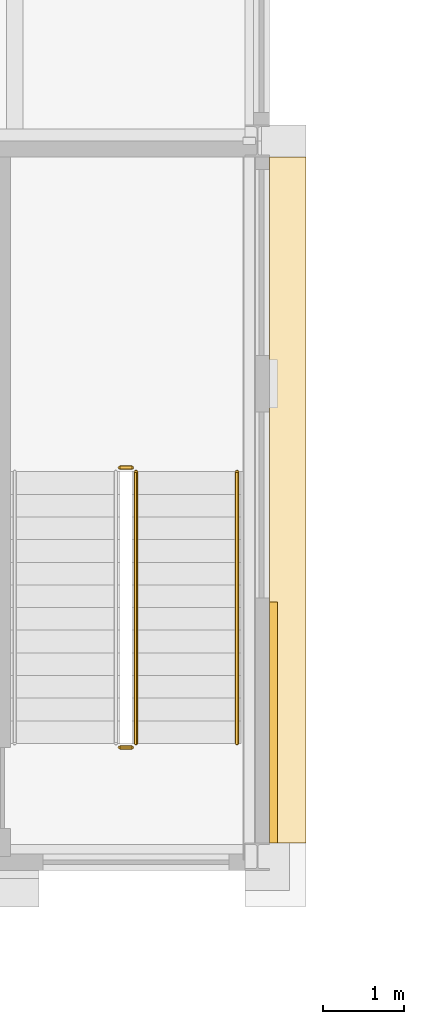
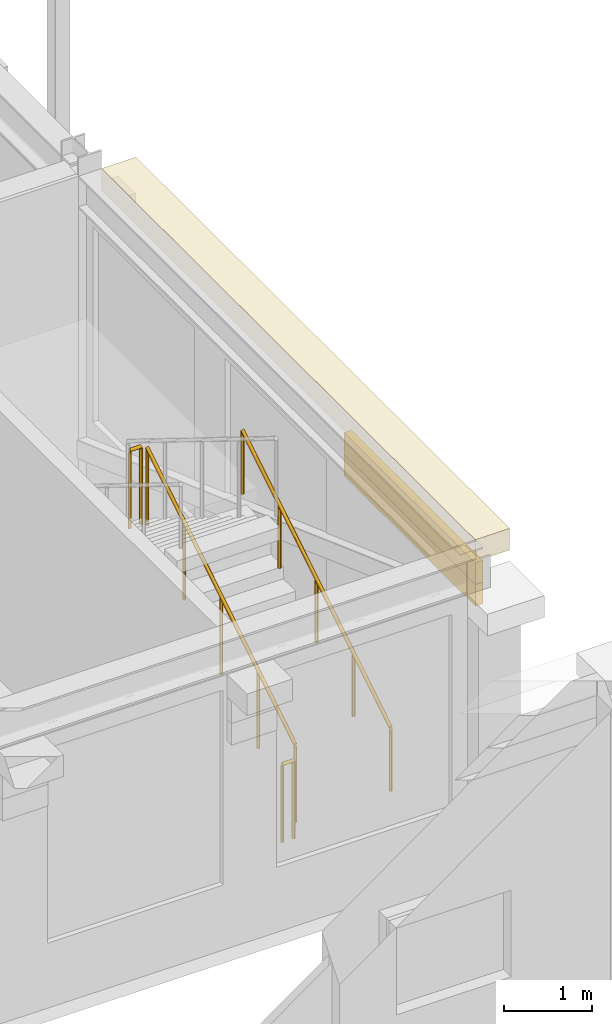
# One storey, part 137 of 153: 4 railings, 3 coverings.
"""IFC4 building model written with IfcOpenShell, lengths in metres."""

from ifc_helpers import new_model, si_unit, direction, frame, origin, origin_2d, place, context, subcontext, project, spatial, rectangle, circle, extrude, material, layer, layer_set, type_object, element, save


model = new_model("IFC4")

# Units and contexts
model_context = context("Model", 3, precision=1e-05, world=origin(), true_north=direction((0.0, 1.0)))
body_context = subcontext(model_context, "Body", "Model", "MODEL_VIEW")
ifc_project = project(units=[si_unit("LENGTHUNIT", "METRE"), si_unit("AREAUNIT", "SQUARE_METRE"), si_unit("VOLUMEUNIT", "CUBIC_METRE"), si_unit("PLANEANGLEUNIT", "RADIAN"), si_unit("MASSUNIT", "GRAM", prefix="KILO")], contexts=[model_context])

# Site, building, storey
site_placement = place(None, origin())
site = spatial("IfcSite", under=ifc_project, at=site_placement, CompositionType="ELEMENT")
building_placement = place(site_placement, origin())
building = spatial("IfcBuilding", under=site, at=building_placement, Name="Kallimachos Central Library", CompositionType="ELEMENT")
storey_placement = place(building_placement, frame((0.0, 0.0, 5.39990234375)))
storey = spatial("IfcBuildingStorey", under=building, at=storey_placement, Name="L01", CompositionType="ELEMENT", Elevation=5.39990234375)

# Coverings
ifc_material_1 = material(Name="Glazed ceramic frieze, green")
ifc_layer_1 = layer(ifc_material_1, 0.10009765625)
ifc_layer_set_1 = layer_set([ifc_layer_1], Name="Glazed ceramic frieze, green")
covering_type_1 = type_object("IfcCoveringType", Name="Glazed ceramic frieze, green", PredefinedType="CLADDING", material=ifc_layer_set_1)
covering_1_placement = place(storey_placement, frame((110.699951171875, 49.81005859375, 3.6298828125), z_axis=(0.0, 0.0, 1.0), x_axis=(1.0, 0.0, 0.0)))
element("IfcCovering", 1, at=covering_1_placement, inside=storey, type_object=covering_type_1, Name="Glazed ceramic frieze, green -L01-029", PredefinedType="CLADDING", context=body_context, shape_type="SweptSolid", body=[
    extrude(rectangle(XDim=0.10009765625, YDim=2.97998046875, at=origin_2d()), origin(), (0.0, 0.0, 1.0), 0.300048828125),
])
ifc_material_2 = material(Name="Glazed ceramic frieze, ochre")
ifc_layer_2 = layer(ifc_material_2, 0.10009765625)
ifc_layer_set_2 = layer_set([ifc_layer_2], Name="Glazed ceramic frieze, ochre")
covering_type_2 = type_object("IfcCoveringType", Name="Glazed ceramic frieze, ochre", PredefinedType="CLADDING", material=ifc_layer_set_2)
covering_2_placement = place(storey_placement, frame((110.699951171875, 49.81005859375, 3.330078125), z_axis=(0.0, 0.0, 1.0), x_axis=(1.0, 0.0, 0.0)))
element("IfcCovering", 2, at=covering_2_placement, inside=storey, type_object=covering_type_2, Name="Glazed ceramic frieze, ochre -L01-029", PredefinedType="CLADDING", context=body_context, shape_type="SweptSolid", body=[
    extrude(rectangle(XDim=0.10009765625, YDim=2.97998046875, at=origin_2d()), origin(), (0.0, 0.0, 1.0), 0.300048828125),
])

# Railings
ifc_material_3 = material(Name="Wrought iron")
railing_type_1 = type_object("IfcRailingType", Name="Stair guard", PredefinedType="GUARDRAIL", material=ifc_material_3)
railing_1_placement = place(storey_placement, frame((109.0, 49.550048828125, 0.173095703125)))
element("IfcRailing", 3, at=railing_1_placement, inside=storey, type_object=railing_type_1, Name="L01 ST12 stair guard 1", PredefinedType="GUARDRAIL", context=body_context, shape_type="SweptSolid", body=[
    extrude(circle(Radius=0.02392578125, at=origin_2d()), frame((0.0, 0.0, 1.076171875), z_axis=(0.0, 0.850606129759, 0.525803396734), x_axis=(-1.0, 0.0, 0.0)), (0.0, 0.0, 1.0), 3.949951171875),
    extrude(circle(Radius=0.02099609375, at=origin_2d()), origin(), (0.0, 0.0, 1.0), 1.052001953125),
    extrude(circle(Radius=0.02099609375, at=origin_2d()), frame((0.0, 0.83984375, 0.519287109375)), (0.0, 0.0, 1.0), 1.052001953125),
    extrude(circle(Radius=0.02099609375, at=origin_2d()), frame((0.0, 1.679931640625, 1.03857421875)), (0.0, 0.0, 1.0), 1.052001953125),
    extrude(circle(Radius=0.02099609375, at=origin_2d()), frame((0.0, 2.52001953125, 1.5576171875)), (0.0, 0.0, 1.0), 1.052001953125),
    extrude(circle(Radius=0.02099609375, at=origin_2d()), frame((0.0, 3.35986328125, 2.076904296875)), (0.0, 0.0, 1.0), 1.052001953125),
])
for number, where, name in (
    (4, (108.949951171875, 52.9599609375, 2.25), "L01 ST12 stair guard 2"),
    (5, (108.949951171875, 49.5, 0.0), "L01 ST12 stair guard 4"),
):
    element("IfcRailing", number, at=place(storey_placement, frame(where)), inside=storey, type_object=railing_type_1, Name=name, PredefinedType="GUARDRAIL", context=body_context, shape_type="SweptSolid", body=[
        extrude(circle(Radius=0.02392578125, at=origin_2d()), frame((0.0, 0.0, 1.076171875), z_axis=(-1.0, 0.0, 0.0), x_axis=(0.0, -1.0, 0.0)), (0.0, 0.0, 1.0), 0.14990234375),
        extrude(circle(Radius=0.02099609375, at=origin_2d()), origin(), (0.0, 0.0, 1.0), 1.052001953125),
        extrude(circle(Radius=0.02099609375, at=origin_2d()), frame((-0.14990234375, 0.0, 0.0)), (0.0, 0.0, 1.0), 1.052001953125),
    ])
ifc_material_4 = material(Name="Wrought iron")
railing_type_2 = type_object("IfcRailingType", Name="Stair handrail", PredefinedType="HANDRAIL", material=ifc_material_4)
railing_2_placement = place(storey_placement, frame((110.25, 49.550048828125, 0.173095703125)))
element("IfcRailing", 6, at=railing_2_placement, inside=storey, type_object=railing_type_2, Name="L01 ST12 stair handrail 1", PredefinedType="HANDRAIL", context=body_context, shape_type="SweptSolid", body=[
    extrude(circle(Radius=0.02392578125, at=origin_2d()), frame((0.0, 0.0, 0.8759765625), z_axis=(0.0, 0.850606129759, 0.525803396734), x_axis=(-1.0, 0.0, 0.0)), (0.0, 0.0, 1.0), 3.949951171875),
    extrude(circle(Radius=0.02099609375, at=origin_2d()), origin(), (0.0, 0.0, 1.0), 0.851806640625),
    extrude(circle(Radius=0.02099609375, at=origin_2d()), frame((0.0, 0.83984375, 0.519287109375)), (0.0, 0.0, 1.0), 0.851806640625),
    extrude(circle(Radius=0.02099609375, at=origin_2d()), frame((0.0, 1.679931640625, 1.03857421875)), (0.0, 0.0, 1.0), 0.851806640625),
    extrude(circle(Radius=0.02099609375, at=origin_2d()), frame((0.0, 2.52001953125, 1.5576171875)), (0.0, 0.0, 1.0), 0.851806640625),
    extrude(circle(Radius=0.02099609375, at=origin_2d()), frame((0.0, 3.35986328125, 2.076904296875)), (0.0, 0.0, 1.0), 0.851806640625),
])

# Covering
ifc_material_5 = material(Name="Pentelic marble cornice", Category="masonry")
ifc_layer_3 = layer(ifc_material_5, 0.449951171875)
ifc_layer_set_3 = layer_set([ifc_layer_3], Name="Stone cornice 450")
covering_type_3 = type_object("IfcCoveringType", Name="Stone cornice 450", PredefinedType="MOLDING", material=ifc_layer_set_3)
covering_3_placement = place(storey_placement, frame((110.875, 52.56005859375, 3.9501953125), z_axis=(0.0, 0.0, 1.0), x_axis=(1.0, 0.0, 0.0)))
element("IfcCovering", 7, at=covering_3_placement, inside=storey, type_object=covering_type_3, Name="Stone cornice 450 -L01-029", PredefinedType="MOLDING", context=body_context, shape_type="SweptSolid", body=[
    extrude(rectangle(XDim=0.449951171875, YDim=8.47998046875, at=origin_2d()), origin(), (0.0, 0.0, 1.0), 0.300048828125),
])

save(model, "model.ifc")
